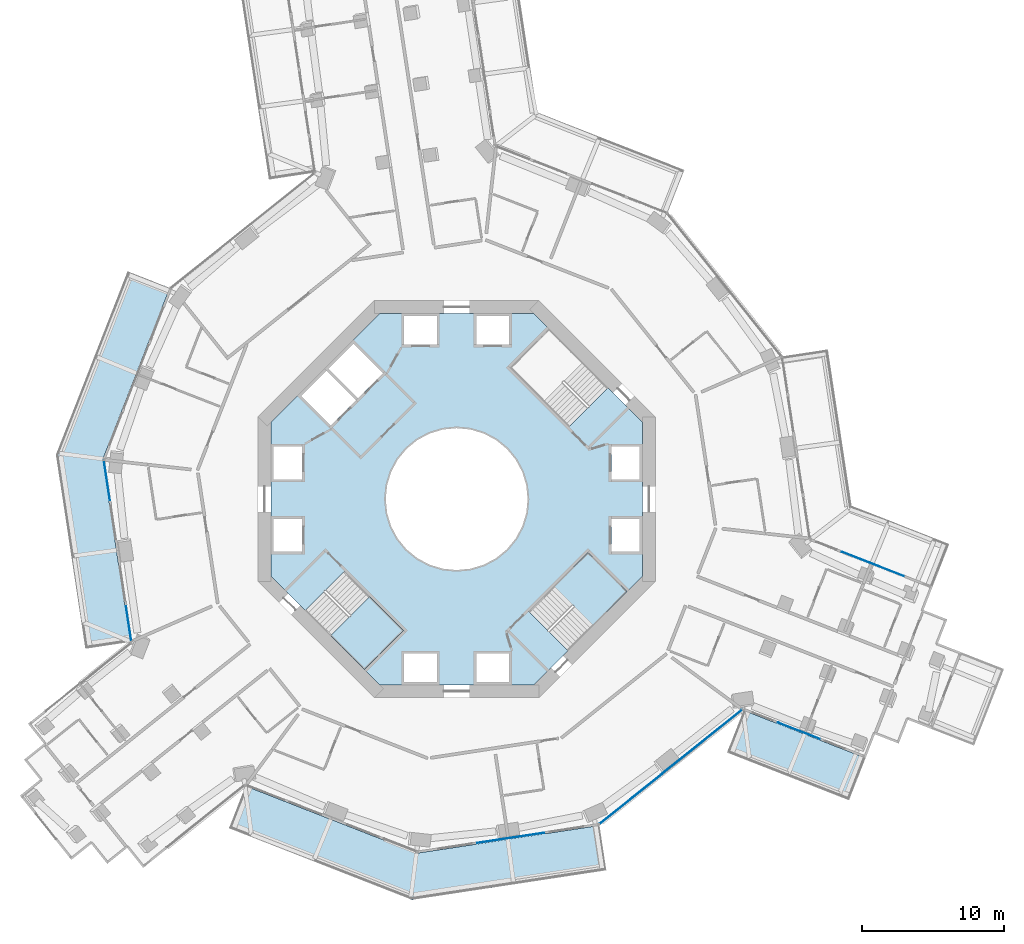
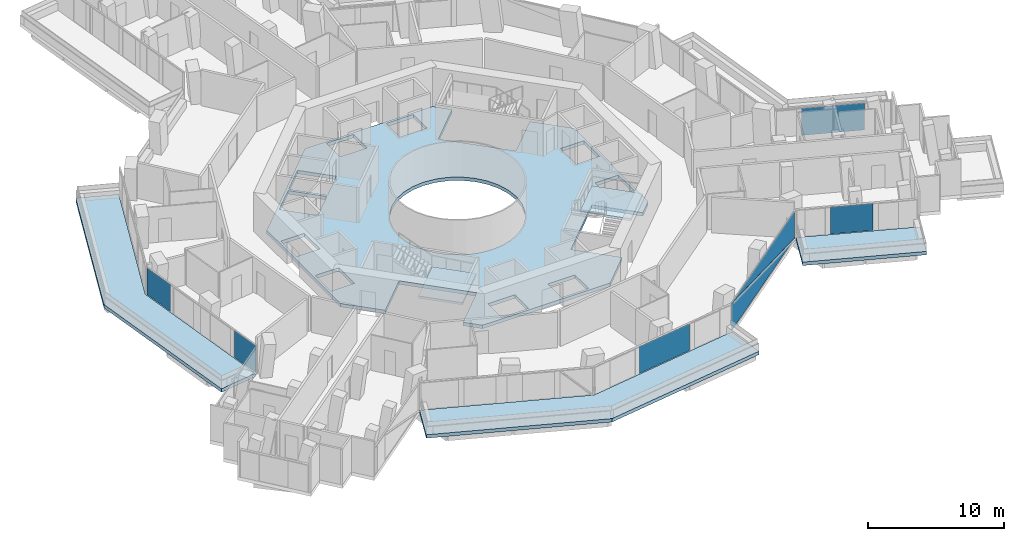
# One storey, part 14 of 28: 7 plates, 6 slabs, 7 elements without a shape of their own.
"""IFC4 building model written with IfcOpenShell, lengths in metres."""

from ifc_helpers import new_model, si_unit, direction, frame, origin, origin_2d, place, context, subcontext, project, spatial, polyline, rectangle, outline, extrude, material, layer, layer_set, type_object, element, aggregate, save


model = new_model("IFC4")

# Units and contexts
model_context = context("Model", 3, precision=1e-05, world=origin(), true_north=direction((0.0, 1.0)))
body_context = subcontext(model_context, "Body", "Model", "MODEL_VIEW")
ifc_project = project(units=[si_unit("LENGTHUNIT", "METRE"), si_unit("AREAUNIT", "SQUARE_METRE"), si_unit("VOLUMEUNIT", "CUBIC_METRE"), si_unit("PLANEANGLEUNIT", "RADIAN"), si_unit("MASSUNIT", "GRAM", prefix="KILO")], contexts=[model_context])

# Site, building, storey
site_placement = place(None, origin())
site = spatial("IfcSite", under=ifc_project, at=site_placement, CompositionType="ELEMENT")
building_placement = place(site_placement, origin())
building = spatial("IfcBuilding", under=site, at=building_placement, Name="Verdalira Terraces Hotel", CompositionType="ELEMENT")
storey_placement = place(building_placement, frame((0.0, 0.0, 68.0)))
storey = spatial("IfcBuildingStorey", under=building, at=storey_placement, Name="L15", CompositionType="ELEMENT", Elevation=68.0)

# Slabs
ifc_material_1 = material(Name="Precast concrete C40/50", Category="concrete")
ifc_layer_1 = layer(ifc_material_1, 0.31005859375)
ifc_layer_set_1 = layer_set([ifc_layer_1], Name="Balcony deck 310")
slab_type_1 = type_object("IfcSlabType", Name="Balcony deck 310", PredefinedType="FLOOR", material=ifc_layer_set_1)
slab_1_placement = place(storey_placement, frame((0.0, 0.0, -0.310059)))
element("IfcSlab", 1, at=slab_1_placement, inside=storey, type_object=slab_type_1, Name="Balcony deck", PredefinedType="FLOOR", context=body_context, shape_type="SweptSolid", body=[
    extrude(outline(polyline([(-28.251953, 3.148926), (-26.170166, -10.55127), (-23.006592, -10.070557), (-24.959473, 2.781982), (-20.224609, 14.88916), (-23.204834, 16.054688), (-28.251953, 3.148926)])), origin(), (0.0, 0.0, 1.0), 0.310059),
])
slab_2_placement = place(storey_placement, frame((0.0, 0.0, -0.310059)))
element("IfcSlab", 2, at=slab_2_placement, inside=storey, type_object=slab_type_1, Name="Balcony deck", PredefinedType="FLOOR", context=body_context, shape_type="SweptSolid", body=[
    extrude(outline(polyline([(-3.148926, -28.251953), (10.55127, -26.170166), (10.070557, -23.006592), (-2.781982, -24.959473), (-14.88916, -20.224609), (-16.054688, -23.204834), (-3.148926, -28.251953)])), origin(), (0.0, 0.0, 1.0), 0.310059),
])
slab_3_placement = place(storey_placement, frame((0.0, 0.0, -0.310059)))
element("IfcSlab", 3, at=slab_3_placement, inside=storey, type_object=slab_type_1, Name="Balcony deck", PredefinedType="FLOOR", context=body_context, shape_type="SweptSolid", body=[
    extrude(outline(polyline([(27.662354, -21.233887), (28.827881, -18.253662), (20.224609, -14.88916), (19.059082, -17.869141), (27.662354, -21.233887)])), origin(), (0.0, 0.0, 1.0), 0.310059),
])

# Curtain wall, plates
ifc_material_2 = material(Name="Clear glass", Category="glass")
ifc_layer_2 = layer(ifc_material_2, 0.14990234375)
ifc_layer_set_2 = layer_set([ifc_layer_2], Name="CW1 curtain wall")
curtain_wall_type_1 = type_object("IfcCurtainWallType", Name="CW1 curtain wall", PredefinedType="NOTDEFINED", material=ifc_layer_set_2)
curtain_wall_1_placement = place(storey_placement, origin())
curtain_wall_1 = element("IfcCurtainWall", 4, at=curtain_wall_1_placement, inside=storey, type_object=curtain_wall_type_1, Name="CW1 curtain wall L15 edge 13", PredefinedType="NOTDEFINED")
ifc_material_3 = material(Name="Clear glass", Category="glass")
ifc_layer_3 = layer(ifc_material_3, 0.028076171875)
ifc_layer_set_3 = layer_set([ifc_layer_3], Name="CW1 glass unit 28")
plate_type_1 = type_object("IfcPlateType", Name="CW1 glass unit 28", PredefinedType="CURTAIN_PANEL", material=ifc_layer_set_3)
plate_1_placement = place(storey_placement, frame((-24.659912, 1.310303, 0.0), z_axis=(0.0, 0.0, 1.0), x_axis=(0.150225589, -0.988651745, 0.0)))
plate_1 = element("IfcPlate", 5, at=plate_1_placement, type_object=plate_type_1, Name="CW1 glass unit", PredefinedType="CURTAIN_PANEL", context=body_context, shape_type="SweptSolid", body=[
    extrude(rectangle(XDim=2.799805, YDim=0.028076, at=origin_2d()), origin(), (0.0, 0.0, 1.0), 2.425049),
])
plate_2_placement = place(storey_placement, frame((-23.127686, -8.77417, 0.0), z_axis=(0.0, 0.0, 1.0), x_axis=(0.150225589, -0.988651745, 0.0)))
plate_2 = element("IfcPlate", 6, at=plate_2_placement, type_object=plate_type_1, Name="CW1 glass unit", PredefinedType="CURTAIN_PANEL", context=body_context, shape_type="SweptSolid", body=[
    extrude(rectangle(XDim=2.479492, YDim=0.028076, at=origin_2d()), origin(), (0.0, 0.0, 1.0), 2.425049),
])
aggregate(curtain_wall_1, [plate_1, plate_2])

# Curtain wall, plate
curtain_wall_2_placement = place(storey_placement, origin())
curtain_wall_2 = element("IfcCurtainWall", 7, at=curtain_wall_2_placement, inside=storey, type_object=curtain_wall_type_1, Name="CW1 curtain wall L15 edge 26", PredefinedType="NOTDEFINED")
plate_3_placement = place(storey_placement, frame((3.809326, -23.88208, 0.0), z_axis=(0.0, 0.0, 1.0), x_axis=(0.988651745, 0.150225589, 0.0)))
plate_3 = element("IfcPlate", 8, at=plate_3_placement, type_object=plate_type_1, Name="CW1 glass unit", PredefinedType="CURTAIN_PANEL", context=body_context, shape_type="SweptSolid", body=[
    extrude(rectangle(XDim=4.759277, YDim=0.028076, at=origin_2d()), origin(), (0.0, 0.0, 1.0), 2.425049),
])
aggregate(curtain_wall_2, [plate_3])

# Curtain wall, plates
curtain_wall_3_placement = place(storey_placement, origin())
curtain_wall_3 = element("IfcCurtainWall", 9, at=curtain_wall_3_placement, inside=storey, type_object=curtain_wall_type_1, Name="CW1 curtain wall L15 edge 27", PredefinedType="NOTDEFINED")
plate_4_placement = place(storey_placement, frame((15.107666, -18.865723, 1.212402), z_axis=(0.624425049, -0.781084732, 0.0), x_axis=(0.781084732, 0.624425049, 0.0)))
plate_4 = element("IfcPlate", 10, at=plate_4_placement, type_object=plate_type_1, Name="CW1 glass unit", PredefinedType="CURTAIN_PANEL", context=body_context, shape_type="SweptSolid", body=[
    extrude(outline(polyline([(-6.419922, -1.212402), (6.419922, -1.212402), (-6.419922, 1.212402), (-6.419922, -1.212402)])), origin(), (0.0, 0.0, 1.0), 0.028076),
])
plate_5_placement = place(storey_placement, frame((15.0896, -18.843018, 1.212402), z_axis=(0.624425049, -0.781084732, 0.0), x_axis=(0.781084732, 0.624425049, 0.0)))
plate_5 = element("IfcPlate", 11, at=plate_5_placement, type_object=plate_type_1, Name="CW1 glass unit", PredefinedType="CURTAIN_PANEL", context=body_context, shape_type="SweptSolid", body=[
    extrude(outline(polyline([(6.419922, -1.212402), (6.419922, 1.212402), (-6.419922, 1.212402), (6.419922, -1.212402)])), origin(), (0.0, 0.0, 1.0), 0.028076),
])
aggregate(curtain_wall_3, [plate_4, plate_5])

# Curtain wall, plate
ifc_material_4 = material(Name="Clear glass", Category="glass")
ifc_layer_4 = layer(ifc_material_4, 0.14990234375)
ifc_layer_set_4 = layer_set([ifc_layer_4], Name="CW2 curtain wall")
curtain_wall_type_2 = type_object("IfcCurtainWallType", Name="CW2 curtain wall", PredefinedType="NOTDEFINED", material=ifc_layer_set_4)
curtain_wall_4_placement = place(storey_placement, origin())
curtain_wall_4 = element("IfcCurtainWall", 12, at=curtain_wall_4_placement, inside=storey, type_object=curtain_wall_type_2, Name="CW2 curtain wall L15 edge 28", PredefinedType="NOTDEFINED")
ifc_material_5 = material(Name="Clear glass", Category="glass")
ifc_layer_5 = layer(ifc_material_5, 0.031982421875)
ifc_layer_set_5 = layer_set([ifc_layer_5], Name="CW2 glass unit 32")
plate_type_2 = type_object("IfcPlateType", Name="CW2 glass unit 32", PredefinedType="CURTAIN_PANEL", material=ifc_layer_set_5)
plate_6_placement = place(storey_placement, frame((24.11792, -16.331055, 0.0), z_axis=(0.0, 0.0, 1.0), x_axis=(0.931310321, -0.364226696, 0.0)))
plate_6 = element("IfcPlate", 13, at=plate_6_placement, type_object=plate_type_2, Name="CW2 glass unit", PredefinedType="CURTAIN_PANEL", context=body_context, shape_type="SweptSolid", body=[
    extrude(rectangle(XDim=3.158447, YDim=0.031982, at=origin_2d()), origin(), (0.0, 0.0, 1.0), 2.425049),
])
aggregate(curtain_wall_4, [plate_6])

curtain_wall_5_placement = place(storey_placement, origin())
curtain_wall_5 = element("IfcCurtainWall", 14, at=curtain_wall_5_placement, inside=storey, type_object=curtain_wall_type_2, Name="CW2 curtain wall L15 edge 38", PredefinedType="NOTDEFINED")
plate_7_placement = place(storey_placement, frame((29.328857, -4.571289, 0.0), z_axis=(0.0, 0.0, 1.0), x_axis=(-0.931310321, 0.364226696, 0.0)))
plate_7 = element("IfcPlate", 15, at=plate_7_placement, type_object=plate_type_2, Name="CW2 glass unit", PredefinedType="CURTAIN_PANEL", context=body_context, shape_type="SweptSolid", body=[
    extrude(rectangle(XDim=4.701904, YDim=0.031982, at=origin_2d()), origin(), (0.0, 0.0, 1.0), 2.425049),
])
aggregate(curtain_wall_5, [plate_7])

# Slab
ifc_material_6 = material(Name="Concrete C40", Category="concrete")
ifc_layer_6 = layer(ifc_material_6, 0.31005859375)
ifc_layer_set_6 = layer_set([ifc_layer_6], Name="Core floor slab 310 mm")
slab_type_2 = type_object("IfcSlabType", Name="Core floor slab 310 mm", PredefinedType="FLOOR", material=ifc_layer_set_6)
slab_4_placement = place(storey_placement, frame((0.0, 0.0, -0.310059)))
element("IfcSlab", 16, at=slab_4_placement, inside=storey, type_object=slab_type_2, Name="L15 core floor", PredefinedType="FLOOR", context=body_context, shape_type="SweptSolid", body=[
    extrude(outline(polyline([(-5.42627, 13.100098), (5.42627, 13.100098), (6.491211, 12.034912), (3.719482, 9.263184), (7.905029, 5.077393), (10.677002, 7.849121), (13.100098, 5.42627), (13.100098, -5.42627), (12.034912, -6.491211), (9.263184, -3.719482), (5.077393, -7.905029), (7.849121, -10.677002), (5.42627, -13.100098), (-5.42627, -13.100098), (-6.491211, -12.034912), (-3.719482, -9.263184), (-7.905029, -5.077393), (-10.677002, -7.849121), (-13.100098, -5.42627), (-13.100098, 5.42627), (-5.42627, 13.100098)]), holes=[polyline([(12.899902, -3.699951), (12.899902, -1.399902), (10.899902, -1.399902), (10.899902, -3.699951), (12.899902, -3.699951)]), polyline([(12.899902, 1.399902), (12.899902, 3.699951), (10.899902, 3.699951), (10.899902, 1.399902), (12.899902, 1.399902)]), polyline([(1.399902, 10.899902), (3.699951, 10.899902), (3.699951, 12.899902), (1.399902, 12.899902), (1.399902, 10.899902)]), polyline([(-3.699951, 10.899902), (-1.399902, 10.899902), (-1.399902, 12.899902), (-3.699951, 12.899902), (-3.699951, 10.899902)]), polyline([(-12.899902, 3.699951), (-12.899902, 1.399902), (-10.899902, 1.399902), (-10.899902, 3.699951), (-12.899902, 3.699951)]), polyline([(-12.899902, -1.399902), (-12.899902, -3.699951), (-10.899902, -3.699951), (-10.899902, -1.399902), (-12.899902, -1.399902)]), polyline([(-1.399902, -10.899902), (-3.699951, -10.899902), (-3.699951, -12.899902), (-1.399902, -12.899902), (-1.399902, -10.899902)]), polyline([(3.699951, -10.899902), (1.399902, -10.899902), (1.399902, -12.899902), (3.699951, -12.899902), (3.699951, -10.899902)]), polyline([(-9.051025, 9.192383), (-6.965088, 7.106445), (-5.197266, 8.874268), (-7.283203, 10.960205), (-9.051025, 9.192383)]), polyline([(-9.192383, 9.051025), (-10.960205, 7.283203), (-8.874268, 5.197266), (-7.106445, 6.965088), (-9.192383, 9.051025)]), polyline([(3.5354, 3.5354), (2.777832, 4.157227), (1.91333, 4.619385), (0.975586, 4.903809), (0.0, 5.0), (-0.975586, 4.903809), (-1.91333, 4.619385), (-2.777832, 4.157227), (-3.5354, 3.5354), (-4.157227, 2.777832), (-4.619385, 1.91333), (-4.903809, 0.975586), (-5.0, 0.0), (-4.903809, -0.975586), (-4.619385, -1.91333), (-4.157227, -2.777832), (-3.5354, -3.5354), (-2.777832, -4.157227), (-1.91333, -4.619385), (-0.975586, -4.903809), (0.0, -5.0), (0.975586, -4.903809), (1.91333, -4.619385), (2.777832, -4.157227), (3.5354, -3.5354), (4.157227, -2.777832), (4.619385, -1.91333), (4.903809, -0.975586), (5.0, 0.0), (4.903809, 0.975586), (4.619385, 1.91333), (4.157227, 2.777832), (3.5354, 3.5354)])]), origin(), (0.0, 0.0, 1.0), 0.310059),
])

# Stair, slab
ifc_material_7 = material(Name="Concrete C40", Category="concrete")
stair_type = type_object("IfcStairType", Name="Core stair 20 risers 1900 mm wide", PredefinedType="HALF_TURN_STAIR", material=ifc_material_7)
stair_1_placement = place(storey_placement, origin())
stair_1 = element("IfcStair", 17, at=stair_1_placement, inside=storey, type_object=stair_type, Name="L15 Exit stair ST2", PredefinedType="HALF_TURN_STAIR")
ifc_material_8 = material(Name="Concrete C40", Category="concrete")
ifc_layer_7 = layer(ifc_material_8, 0.199951171875)
ifc_layer_set_7 = layer_set([ifc_layer_7], Name="Core stair landing 200 mm")
slab_type_3 = type_object("IfcSlabType", Name="Core stair landing 200 mm", PredefinedType="LANDING", material=ifc_layer_set_7)
slab_5_placement = place(storey_placement, frame((0.0, 0.0, 1.550049)))
slab_5 = element("IfcSlab", 18, at=slab_5_placement, type_object=slab_type_3, Name="ST2 landing 1", PredefinedType="LANDING", context=body_context, shape_type="SweptSolid", body=[
    extrude(outline(polyline([(-8.895752, -9.630371), (-6.505371, -12.020752), (-3.747559, -9.263184), (-6.137939, -6.872803), (-8.895752, -9.630371)])), origin(), (0.0, 0.0, 1.0), 0.199951),
])
aggregate(stair_1, [slab_5])

stair_2_placement = place(storey_placement, origin())
stair_2 = element("IfcStair", 19, at=stair_2_placement, inside=storey, type_object=stair_type, Name="L15 Exit stair ST3", PredefinedType="HALF_TURN_STAIR")
slab_6_placement = place(storey_placement, frame((0.0, 0.0, 1.550049)))
slab_6 = element("IfcSlab", 20, at=slab_6_placement, type_object=slab_type_3, Name="ST3 landing 1", PredefinedType="LANDING", context=body_context, shape_type="SweptSolid", body=[
    extrude(outline(polyline([(9.630371, -8.895752), (12.020752, -6.505371), (9.263184, -3.747559), (6.872803, -6.137939), (9.630371, -8.895752)])), origin(), (0.0, 0.0, 1.0), 0.199951),
])
aggregate(stair_2, [slab_6])

save(model, "model.ifc")
